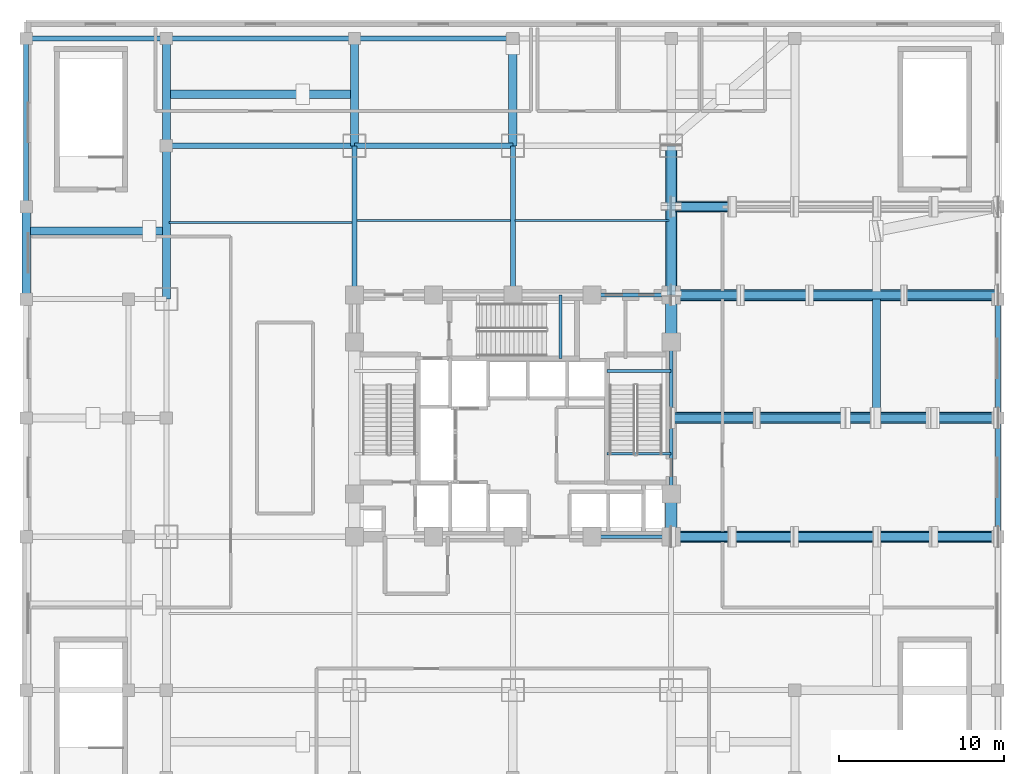
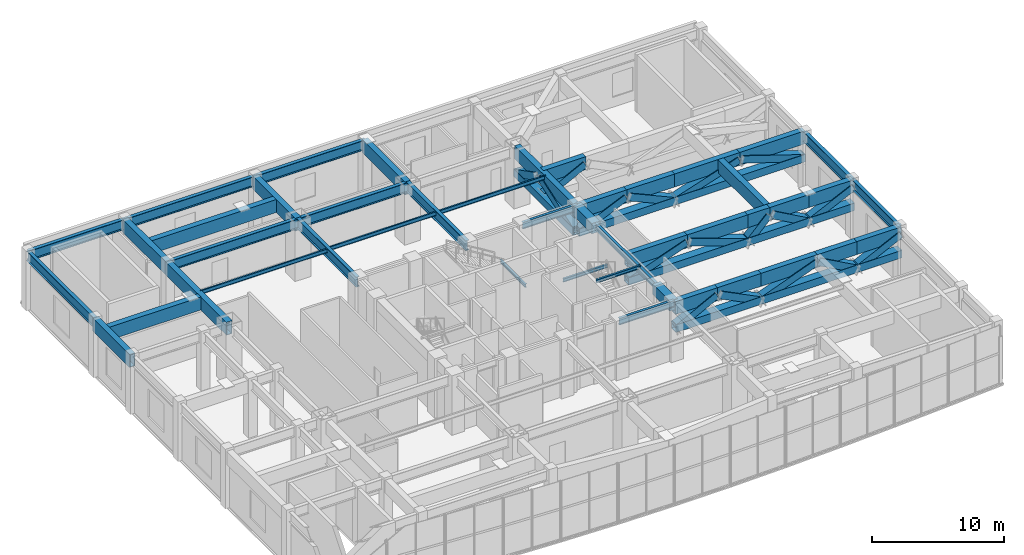
# One storey, part 9 of 19: 45 beams, 21 members.
"""IFC4 building model written with IfcOpenShell, lengths in metres."""

from ifc_helpers import new_model, si_unit, direction, frame, origin, origin_2d, place, context, subcontext, project, spatial, rectangle, hollow_rectangle, i_section, extrude, material, material_profile, profile_set, type_object, element, save


model = new_model("IFC4")

# Units and contexts
model_context = context("Model", 3, precision=1e-05, world=origin(), true_north=direction((0.0, 1.0)))
body_context = subcontext(model_context, "Body", "Model", "MODEL_VIEW")
ifc_project = project(units=[si_unit("LENGTHUNIT", "METRE"), si_unit("AREAUNIT", "SQUARE_METRE"), si_unit("VOLUMEUNIT", "CUBIC_METRE"), si_unit("PLANEANGLEUNIT", "RADIAN"), si_unit("MASSUNIT", "GRAM", prefix="KILO")], contexts=[model_context])

# Site, building, storey
site_placement = place(None, origin())
site = spatial("IfcSite", under=ifc_project, at=site_placement, CompositionType="ELEMENT")
building_placement = place(site_placement, origin())
building = spatial("IfcBuilding", under=site, at=building_placement, Name="Vantalir Tower", CompositionType="ELEMENT")
storey_placement = place(building_placement, frame((0.0, 0.0, 21.5)))
storey = spatial("IfcBuildingStorey", under=building, at=storey_placement, Name="L04", CompositionType="ELEMENT", Elevation=21.5)

# Beams
ifc_material_1 = material(Name="Concrete C60/75", Category="concrete")
ifc_material_profile_1 = material_profile(ifc_material_1, rectangle(XDim=0.699951171875, YDim=0.949951171875, at=origin_2d()), Name="Concrete C60/75")
ifc_profile_set_1 = profile_set([ifc_material_profile_1], Name="Concrete C60/75")
beam_type_1 = type_object("IfcBeamType", Name="BM-CB-700x950", PredefinedType="USERDEFINED", material=ifc_profile_set_1)
beam_1_placement = place(storey_placement, frame((41.10009765625, 17.800048828125, 4.844970703125), z_axis=(0.0, 1.0, 0.0), x_axis=(-1.0, 0.0, 0.0)))
element("IfcBeam", 1, at=beam_1_placement, inside=storey, type_object=beam_type_1, Name="L04 Core Coupling Girder 05", ObjectType="GIRDER", PredefinedType="USERDEFINED", context=body_context, shape_type="SweptSolid", body=[
    extrude(rectangle(XDim=0.699951171875, YDim=0.949951171875, at=origin_2d()), origin(), (0.0, 0.0, 1.0), 2.599853515625),
])
beam_2_placement = place(storey_placement, frame((41.10009765625, 29.60009765625, 4.844970703125), z_axis=(0.0, 1.0, 0.0), x_axis=(-1.0, 0.0, 0.0)))
element("IfcBeam", 2, at=beam_2_placement, inside=storey, type_object=beam_type_1, Name="L04 Core Coupling Girder 07", ObjectType="GIRDER", PredefinedType="USERDEFINED", context=body_context, shape_type="SweptSolid", body=[
    extrude(rectangle(XDim=0.699951171875, YDim=0.949951171875, at=origin_2d()), origin(), (0.0, 0.0, 1.0), 2.849853515625),
])
ifc_material_2 = material(Name="Steel S355", Category="steel")
ifc_material_profile_2 = material_profile(ifc_material_2, i_section(OverallWidth=0.166015625, OverallDepth=0.306884765625, WebThickness=0.006591796875, FlangeThickness=0.01171875, at=origin_2d()), Name="Steel S355")
ifc_profile_set_2 = profile_set([ifc_material_profile_2], Name="Steel S355")
beam_type_2 = type_object("IfcBeamType", Name="BM-JS-305x165", PredefinedType="JOIST", material=ifc_profile_set_2)
for number, where, z_axis, x_axis, name in (
    (3, (37.2099609375, 22.8349609375, 5.345947265625), (1.0, 0.0, 0.0), (0.0, 1.0, 0.0), "L05 Stair ST2 Well Nosing Trimmer Beam"),
    (4, (37.2099609375, 27.844970703125, 2.39599609375), (1.0, 0.0, 0.0), (0.0, 1.0, 0.0), "L04 Stair ST2 Half-Landing Support Beam"),
):
    element("IfcBeam", number, at=place(storey_placement, frame(where, z_axis=z_axis, x_axis=x_axis)), inside=storey, type_object=beam_type_2, Name=name, PredefinedType="JOIST", context=body_context, shape_type="SweptSolid", body=[
        extrude(i_section(OverallWidth=0.166015625, OverallDepth=0.306884765625, WebThickness=0.006591796875, FlangeThickness=0.01171875, at=origin_2d()), origin(), (0.0, 0.0, 1.0), 3.89013671875),
    ])
beam_3_placement = place(storey_placement, frame((34.39501953125, 28.60009765625, 2.39599609375), z_axis=(0.0, 1.0, 0.0), x_axis=(-1.0, 0.0, 0.0)))
element("IfcBeam", 5, at=beam_3_placement, inside=storey, type_object=beam_type_2, Name="L04 Stair ST3 Half-Landing Support Beam", PredefinedType="JOIST", context=body_context, shape_type="SweptSolid", body=[
    extrude(i_section(OverallWidth=0.166015625, OverallDepth=0.306884765625, WebThickness=0.006591796875, FlangeThickness=0.01171875, at=origin_2d()), origin(), (0.0, 0.0, 1.0), 3.849853515625),
])
ifc_material_profile_3 = material_profile(ifc_material_2, i_section(OverallWidth=0.1259765625, OverallDepth=0.35302734375, WebThickness=0.006591796875, FlangeThickness=0.0107421875, at=origin_2d()), Name="Steel S355")
ifc_profile_set_3 = profile_set([ifc_material_profile_3], Name="Steel S355")
beam_type_3 = type_object("IfcBeamType", Name="BM-JS-356x127", PredefinedType="JOIST", material=ifc_profile_set_3)
beam_4_placement = place(storey_placement, frame((10.64501953125, 36.85009765625, 5.10400390625), z_axis=(1.0, 0.0, 0.0), x_axis=(0.0, 1.0, 0.0)))
element("IfcBeam", 6, at=beam_4_placement, inside=storey, type_object=beam_type_3, Name="L04 Secondary Composite Joist 02", PredefinedType="JOIST", context=body_context, shape_type="SweptSolid", body=[
    extrude(i_section(OverallWidth=0.1259765625, OverallDepth=0.35302734375, WebThickness=0.006591796875, FlangeThickness=0.0107421875, at=origin_2d()), origin(), (0.0, 0.0, 1.0), 11.10986328125),
])
for number, where, z_axis, x_axis, name in (
    (7, (22.044921875, 36.97509765625, 5.10400390625), (1.0, 0.0, 0.0), (0.0, 1.0, 0.0), "L04 Secondary Composite Joist 04"),
    (8, (31.64501953125, 36.97509765625, 5.10400390625), (1.0, 0.0, 0.0), (0.0, 1.0, 0.0), "L04 Secondary Composite Joist 06"),
):
    element("IfcBeam", number, at=place(storey_placement, frame(where, z_axis=z_axis, x_axis=x_axis)), inside=storey, type_object=beam_type_3, Name=name, PredefinedType="JOIST", context=body_context, shape_type="SweptSolid", body=[
        extrude(i_section(OverallWidth=0.1259765625, OverallDepth=0.35302734375, WebThickness=0.006591796875, FlangeThickness=0.0107421875, at=origin_2d()), origin(), (0.0, 0.0, 1.0), 9.31005859375),
    ])
ifc_material_profile_4 = material_profile(ifc_material_2, i_section(OverallWidth=0.30810546875, OverallDepth=0.927001953125, WebThickness=0.01953125, FlangeThickness=0.031982421875, at=origin_2d()), Name="Steel S355")
ifc_profile_set_4 = profile_set([ifc_material_profile_4], Name="Steel S355")
beam_type_4 = type_object("IfcBeamType", Name="BM-PG-914x305", PredefinedType="USERDEFINED", material=ifc_profile_set_4)
beam_5_placement = place(storey_placement, frame((10.5, 41.5, 4.81591796875), z_axis=(1.0, 0.0, 0.0), x_axis=(0.0, 1.0, 0.0)))
element("IfcBeam", 9, at=beam_5_placement, inside=storey, type_object=beam_type_4, Name="L04 Podium E-W Girder 30", ObjectType="GIRDER", PredefinedType="USERDEFINED", context=body_context, shape_type="SweptSolid", body=[
    extrude(i_section(OverallWidth=0.30810546875, OverallDepth=0.927001953125, WebThickness=0.01953125, FlangeThickness=0.031982421875, at=origin_2d()), origin(), (0.0, 0.0, 1.0), 11.39990234375),
])
beam_6_placement = place(storey_placement, frame((21.89990234375, 41.5, 4.81591796875), z_axis=(1.0, 0.0, 0.0), x_axis=(0.0, 1.0, 0.0)))
element("IfcBeam", 10, at=beam_6_placement, inside=storey, type_object=beam_type_4, Name="L04 Podium E-W Girder 31", ObjectType="GIRDER", PredefinedType="USERDEFINED", context=body_context, shape_type="SweptSolid", body=[
    extrude(i_section(OverallWidth=0.30810546875, OverallDepth=0.927001953125, WebThickness=0.01953125, FlangeThickness=0.031982421875, at=origin_2d()), origin(), (0.0, 0.0, 1.0), 9.60009765625),
])
beam_7_placement = place(storey_placement, frame((2.0, 48.0, 4.81591796875), z_axis=(1.0, 0.0, 0.0), x_axis=(0.0, 1.0, 0.0)))
element("IfcBeam", 11, at=beam_7_placement, inside=storey, type_object=beam_type_4, Name="L04 Podium E-W Girder 33", ObjectType="GIRDER", PredefinedType="USERDEFINED", context=body_context, shape_type="SweptSolid", body=[
    extrude(i_section(OverallWidth=0.30810546875, OverallDepth=0.927001953125, WebThickness=0.01953125, FlangeThickness=0.031982421875, at=origin_2d()), origin(), (0.0, 0.0, 1.0), 8.5),
])
beam_8_placement = place(storey_placement, frame((10.5, 48.0, 4.81591796875), z_axis=(1.0, 0.0, 0.0), x_axis=(0.0, 1.0, 0.0)))
element("IfcBeam", 12, at=beam_8_placement, inside=storey, type_object=beam_type_4, Name="L04 Podium E-W Girder 34", ObjectType="GIRDER", PredefinedType="USERDEFINED", context=body_context, shape_type="SweptSolid", body=[
    extrude(i_section(OverallWidth=0.30810546875, OverallDepth=0.927001953125, WebThickness=0.01953125, FlangeThickness=0.031982421875, at=origin_2d()), origin(), (0.0, 0.0, 1.0), 11.39990234375),
])
beam_9_placement = place(storey_placement, frame((21.89990234375, 48.0, 4.81591796875), z_axis=(1.0, 0.0, 0.0), x_axis=(0.0, 1.0, 0.0)))
element("IfcBeam", 13, at=beam_9_placement, inside=storey, type_object=beam_type_4, Name="L04 Podium E-W Girder 35", ObjectType="GIRDER", PredefinedType="USERDEFINED", context=body_context, shape_type="SweptSolid", body=[
    extrude(i_section(OverallWidth=0.30810546875, OverallDepth=0.927001953125, WebThickness=0.01953125, FlangeThickness=0.031982421875, at=origin_2d()), origin(), (0.0, 0.0, 1.0), 9.60009765625),
])
beam_10_placement = place(storey_placement, frame((2.0, 37.800048828125, 4.81591796875), z_axis=(0.0, 1.0, 0.0), x_axis=(-1.0, 0.0, 0.0)))
element("IfcBeam", 14, at=beam_10_placement, inside=storey, type_object=beam_type_4, Name="L04 Podium N-S Girder 44", ObjectType="GIRDER", PredefinedType="USERDEFINED", context=body_context, shape_type="SweptSolid", body=[
    extrude(i_section(OverallWidth=0.30810546875, OverallDepth=0.927001953125, WebThickness=0.01953125, FlangeThickness=0.031982421875, at=origin_2d()), origin(), (0.0, 0.0, 1.0), 10.199951171875),
])
for number, where, z_axis, x_axis, name in (
    (15, (21.89990234375, 32.449951171875, 4.81591796875), (0.0, 1.0, 0.0), (-1.0, 0.0, 0.0), "L04 Podium N-S Girder 59"),
    (16, (31.5, 32.449951171875, 4.81591796875), (0.0, 1.0, 0.0), (-1.0, 0.0, 0.0), "L04 Podium N-S Girder 63"),
):
    element("IfcBeam", number, at=place(storey_placement, frame(where, z_axis=z_axis, x_axis=x_axis)), inside=storey, type_object=beam_type_4, Name=name, ObjectType="GIRDER", PredefinedType="USERDEFINED", context=body_context, shape_type="SweptSolid", body=[
        extrude(i_section(OverallWidth=0.30810546875, OverallDepth=0.927001953125, WebThickness=0.01953125, FlangeThickness=0.031982421875, at=origin_2d()), origin(), (0.0, 0.0, 1.0), 9.050048828125),
    ])
for number, where, z_axis, x_axis, name in (
    (17, (60.89990234375, 17.800048828125, 4.81591796875), (0.0, 1.0, 0.0), (-1.0, 0.0, 0.0), "L04 Podium N-S Girder 75"),
    (18, (60.89990234375, 25.0, 4.81591796875), (0.0, 1.0, 0.0), (-1.0, 0.0, 0.0), "L04 Podium N-S Girder 76"),
):
    element("IfcBeam", number, at=place(storey_placement, frame(where, z_axis=z_axis, x_axis=x_axis)), inside=storey, type_object=beam_type_4, Name=name, ObjectType="GIRDER", PredefinedType="USERDEFINED", context=body_context, shape_type="SweptSolid", body=[
        extrude(i_section(OverallWidth=0.30810546875, OverallDepth=0.927001953125, WebThickness=0.01953125, FlangeThickness=0.031982421875, at=origin_2d()), origin(), (0.0, 0.0, 1.0), 7.199951171875),
    ])
ifc_material_profile_5 = material_profile(ifc_material_2, i_section(OverallWidth=0.22998046875, OverallDepth=0.616943359375, WebThickness=0.01318359375, FlangeThickness=0.022216796875, at=origin_2d()), Name="Steel S355")
ifc_profile_set_5 = profile_set([ifc_material_profile_5], Name="Steel S355")
beam_type_5 = type_object("IfcBeamType", Name="BM-RB-610x229", PredefinedType="BEAM", material=ifc_profile_set_5)
beam_11_placement = place(storey_placement, frame((36.300048828125, 17.800048828125, 5.011962890625), z_axis=(1.0, 0.0, 0.0), x_axis=(0.0, 1.0, 0.0)))
element("IfcBeam", 19, at=beam_11_placement, inside=storey, type_object=beam_type_5, Name="L04 Core Coupling Girder 04", PredefinedType="BEAM", context=body_context, shape_type="SweptSolid", body=[
    extrude(i_section(OverallWidth=0.22998046875, OverallDepth=0.616943359375, WebThickness=0.01318359375, FlangeThickness=0.022216796875, at=origin_2d()), origin(), (0.0, 0.0, 1.0), 4.800048828125),
])
beam_12_placement = place(storey_placement, frame((41.10009765625, 20.39990234375, 5.011962890625), z_axis=(0.0, 1.0, 0.0), x_axis=(-1.0, 0.0, 0.0)))
element("IfcBeam", 20, at=beam_12_placement, inside=storey, type_object=beam_type_5, Name="L04 Core Coupling Girder 06", PredefinedType="BEAM", context=body_context, shape_type="SweptSolid", body=[
    extrude(i_section(OverallWidth=0.22998046875, OverallDepth=0.616943359375, WebThickness=0.01318359375, FlangeThickness=0.022216796875, at=origin_2d()), origin(), (0.0, 0.0, 1.0), 9.2001953125),
])
beam_13_placement = place(storey_placement, frame((41.10009765625, 32.449951171875, 5.011962890625), z_axis=(-1.0, 0.0, 0.0), x_axis=(0.0, -1.0, 0.0)))
element("IfcBeam", 21, at=beam_13_placement, inside=storey, type_object=beam_type_5, Name="L04 Core Coupling Girder 08", PredefinedType="BEAM", context=body_context, shape_type="SweptSolid", body=[
    extrude(i_section(OverallWidth=0.22998046875, OverallDepth=0.616943359375, WebThickness=0.01318359375, FlangeThickness=0.022216796875, at=origin_2d()), origin(), (0.0, 0.0, 1.0), 4.800048828125),
])
ifc_material_3 = material(Name="Steel S460", Category="steel")
ifc_material_profile_6 = material_profile(ifc_material_3, hollow_rectangle(XDim=0.5, YDim=1.199951171875, WallThickness=0.0400390625, at=origin_2d()), Name="Steel S460")
ifc_profile_set_6 = profile_set([ifc_material_profile_6], Name="Steel S460")
beam_type_6 = type_object("IfcBeamType", Name="BM-XG-1200x500", PredefinedType="USERDEFINED", material=ifc_profile_set_6)
beam_14_placement = place(storey_placement, frame((41.10009765625, 17.800048828125, 4.679931640625), z_axis=(1.0, 0.0, 0.0), x_axis=(0.0, 1.0, 0.0)))
element("IfcBeam", 22, at=beam_14_placement, inside=storey, type_object=beam_type_6, Name="L04 Ballroom Transfer Truss T1 Top Chord 1", ObjectType="GIRDER", PredefinedType="USERDEFINED", context=body_context, shape_type="SweptSolid", body=[
    extrude(hollow_rectangle(XDim=0.5, YDim=1.199951171875, WallThickness=0.0400390625, at=origin_2d()), origin(), (0.0, 0.0, 1.0), 3.699951171875),
])
beam_15_placement = place(storey_placement, frame((44.800048828125, 17.800048828125, 4.679931640625), z_axis=(1.0, 0.0, 0.0), x_axis=(0.0, 1.0, 0.0)))
element("IfcBeam", 23, at=beam_15_placement, inside=storey, type_object=beam_type_6, Name="L04 Ballroom Transfer Truss T1 Top Chord 2", ObjectType="GIRDER", PredefinedType="USERDEFINED", context=body_context, shape_type="SweptSolid", body=[
    extrude(hollow_rectangle(XDim=0.5, YDim=1.199951171875, WallThickness=0.0400390625, at=origin_2d()), origin(), (0.0, 0.0, 1.0), 3.800048828125),
])
beam_16_placement = place(storey_placement, frame((48.60009765625, 17.800048828125, 4.679931640625), z_axis=(1.0, 0.0, 0.0), x_axis=(0.0, 1.0, 0.0)))
element("IfcBeam", 24, at=beam_16_placement, inside=storey, type_object=beam_type_6, Name="L04 Ballroom Transfer Truss T1 Top Chord 3", ObjectType="GIRDER", PredefinedType="USERDEFINED", context=body_context, shape_type="SweptSolid", body=[
    extrude(hollow_rectangle(XDim=0.5, YDim=1.199951171875, WallThickness=0.0400390625, at=origin_2d()), origin(), (0.0, 0.0, 1.0), 4.93994140625),
])
beam_17_placement = place(storey_placement, frame((53.5400390625, 17.800048828125, 4.679931640625), z_axis=(1.0, 0.0, 0.0), x_axis=(0.0, 1.0, 0.0)))
element("IfcBeam", 25, at=beam_17_placement, inside=storey, type_object=beam_type_6, Name="L04 Ballroom Transfer Truss T1 Top Chord 4", ObjectType="GIRDER", PredefinedType="USERDEFINED", context=body_context, shape_type="SweptSolid", body=[
    extrude(hollow_rectangle(XDim=0.5, YDim=1.199951171875, WallThickness=0.0400390625, at=origin_2d()), origin(), (0.0, 0.0, 1.0), 3.4599609375),
])
beam_18_placement = place(storey_placement, frame((57.0, 17.800048828125, 4.679931640625), z_axis=(1.0, 0.0, 0.0), x_axis=(0.0, 1.0, 0.0)))
element("IfcBeam", 26, at=beam_18_placement, inside=storey, type_object=beam_type_6, Name="L04 Ballroom Transfer Truss T1 Top Chord 5", ObjectType="GIRDER", PredefinedType="USERDEFINED", context=body_context, shape_type="SweptSolid", body=[
    extrude(hollow_rectangle(XDim=0.5, YDim=1.199951171875, WallThickness=0.0400390625, at=origin_2d()), origin(), (0.0, 0.0, 1.0), 3.89990234375),
])
beam_19_placement = place(storey_placement, frame((41.10009765625, 25.0, 4.679931640625), z_axis=(1.0, 0.0, 0.0), x_axis=(0.0, 1.0, 0.0)))
element("IfcBeam", 27, at=beam_19_placement, inside=storey, type_object=beam_type_6, Name="L04 Ballroom Transfer Truss T2 Top Chord 1", ObjectType="GIRDER", PredefinedType="USERDEFINED", context=body_context, shape_type="SweptSolid", body=[
    extrude(hollow_rectangle(XDim=0.5, YDim=1.199951171875, WallThickness=0.0400390625, at=origin_2d()), origin(), (0.0, 0.0, 1.0), 5.199951171875),
])
beam_20_placement = place(storey_placement, frame((46.300048828125, 25.0, 4.679931640625), z_axis=(1.0, 0.0, 0.0), x_axis=(0.0, 1.0, 0.0)))
element("IfcBeam", 28, at=beam_20_placement, inside=storey, type_object=beam_type_6, Name="L04 Ballroom Transfer Truss T2 Top Chord 2", ObjectType="GIRDER", PredefinedType="USERDEFINED", context=body_context, shape_type="SweptSolid", body=[
    extrude(hollow_rectangle(XDim=0.5, YDim=1.199951171875, WallThickness=0.0400390625, at=origin_2d()), origin(), (0.0, 0.0, 1.0), 5.300048828125),
])
beam_21_placement = place(storey_placement, frame((51.60009765625, 25.0, 4.679931640625), z_axis=(1.0, 0.0, 0.0), x_axis=(0.0, 1.0, 0.0)))
element("IfcBeam", 29, at=beam_21_placement, inside=storey, type_object=beam_type_6, Name="L04 Ballroom Transfer Truss T2 Top Chord 3", ObjectType="GIRDER", PredefinedType="USERDEFINED", context=body_context, shape_type="SweptSolid", body=[
    extrude(hollow_rectangle(XDim=0.5, YDim=1.199951171875, WallThickness=0.0400390625, at=origin_2d()), origin(), (0.0, 0.0, 1.0), 1.93994140625),
])
beam_22_placement = place(storey_placement, frame((53.5400390625, 25.0, 4.679931640625), z_axis=(1.0, 0.0, 0.0), x_axis=(0.0, 1.0, 0.0)))
element("IfcBeam", 30, at=beam_22_placement, inside=storey, type_object=beam_type_6, Name="L04 Ballroom Transfer Truss T2 Top Chord 4", ObjectType="GIRDER", PredefinedType="USERDEFINED", context=body_context, shape_type="SweptSolid", body=[
    extrude(hollow_rectangle(XDim=0.5, YDim=1.199951171875, WallThickness=0.0400390625, at=origin_2d()), origin(), (0.0, 0.0, 1.0), 3.409912109375),
])
beam_23_placement = place(storey_placement, frame((56.949951171875, 25.0, 4.679931640625), z_axis=(1.0, 0.0, 0.0), x_axis=(0.0, 1.0, 0.0)))
element("IfcBeam", 31, at=beam_23_placement, inside=storey, type_object=beam_type_6, Name="L04 Ballroom Transfer Truss T2 Top Chord 5", ObjectType="GIRDER", PredefinedType="USERDEFINED", context=body_context, shape_type="SweptSolid", body=[
    extrude(hollow_rectangle(XDim=0.5, YDim=1.199951171875, WallThickness=0.0400390625, at=origin_2d()), origin(), (0.0, 0.0, 1.0), 3.949951171875),
])
for number, where, z_axis, x_axis, name in (
    (32, (41.10009765625, 32.449951171875, 4.679931640625), (1.0, 0.0, 0.0), (0.0, 1.0, 0.0), "L04 Ballroom Transfer Truss T3 Top Chord 1"),
    (33, (45.300048828125, 32.449951171875, 4.679931640625), (1.0, 0.0, 0.0), (0.0, 1.0, 0.0), "L04 Ballroom Transfer Truss T3 Top Chord 2"),
):
    element("IfcBeam", number, at=place(storey_placement, frame(where, z_axis=z_axis, x_axis=x_axis)), inside=storey, type_object=beam_type_6, Name=name, ObjectType="GIRDER", PredefinedType="USERDEFINED", context=body_context, shape_type="SweptSolid", body=[
        extrude(hollow_rectangle(XDim=0.5, YDim=1.199951171875, WallThickness=0.0400390625, at=origin_2d()), origin(), (0.0, 0.0, 1.0), 4.199951171875),
    ])
for number, where, z_axis, x_axis, name in (
    (34, (49.5, 32.449951171875, 4.679931640625), (1.0, 0.0, 0.0), (0.0, 1.0, 0.0), "L04 Ballroom Transfer Truss T3 Top Chord 3"),
    (35, (55.199951171875, 32.449951171875, 4.679931640625), (1.0, 0.0, 0.0), (0.0, 1.0, 0.0), "L04 Ballroom Transfer Truss T3 Top Chord 4"),
):
    element("IfcBeam", number, at=place(storey_placement, frame(where, z_axis=z_axis, x_axis=x_axis)), inside=storey, type_object=beam_type_6, Name=name, ObjectType="GIRDER", PredefinedType="USERDEFINED", context=body_context, shape_type="SweptSolid", body=[
        extrude(hollow_rectangle(XDim=0.5, YDim=1.199951171875, WallThickness=0.0400390625, at=origin_2d()), origin(), (0.0, 0.0, 1.0), 5.699951171875),
    ])
beam_24_placement = place(storey_placement, frame((41.10009765625, 37.800048828125, 4.679931640625), z_axis=(1.0, 0.0, 0.0), x_axis=(0.0, 1.0, 0.0)))
element("IfcBeam", 36, at=beam_24_placement, inside=storey, type_object=beam_type_6, Name="L04 Ballroom Transfer Truss T4 Top Chord 1", ObjectType="GIRDER", PredefinedType="USERDEFINED", context=body_context, shape_type="SweptSolid", body=[
    extrude(hollow_rectangle(XDim=0.5, YDim=1.199951171875, WallThickness=0.0400390625, at=origin_2d()), origin(), (0.0, 0.0, 1.0), 3.699951171875),
])
beam_25_placement = place(storey_placement, frame((2.0, 32.199951171875, 4.679931640625), z_axis=(0.0, 1.0, 0.0), x_axis=(-1.0, 0.0, 0.0)))
element("IfcBeam", 37, at=beam_25_placement, inside=storey, type_object=beam_type_6, Name="L04 Ring Transfer Girder PRI-W2", ObjectType="GIRDER", PredefinedType="USERDEFINED", context=body_context, shape_type="SweptSolid", body=[
    extrude(hollow_rectangle(XDim=0.5, YDim=1.199951171875, WallThickness=0.0400390625, at=origin_2d()), origin(), (0.0, 0.0, 1.0), 5.60009765625),
])
beam_26_placement = place(storey_placement, frame((10.5, 32.199951171875, 4.679931640625), z_axis=(0.0, 1.0, 0.0), x_axis=(-1.0, 0.0, 0.0)))
element("IfcBeam", 38, at=beam_26_placement, inside=storey, type_object=beam_type_6, Name="L04 Ring Transfer Girder PRI-X2C", ObjectType="GIRDER", PredefinedType="USERDEFINED", context=body_context, shape_type="SweptSolid", body=[
    extrude(hollow_rectangle(XDim=0.5, YDim=1.199951171875, WallThickness=0.0400390625, at=origin_2d()), origin(), (0.0, 0.0, 1.0), 9.300048828125),
])
for number, where, z_axis, x_axis, name in (
    (39, (10.5, 41.5, 4.679931640625), (0.0, 1.0, 0.0), (-1.0, 0.0, 0.0), "L04 Ring Transfer Girder PRI-X2D"),
    (40, (21.89990234375, 41.5, 4.679931640625), (0.0, 1.0, 0.0), (-1.0, 0.0, 0.0), "L04 Ring Transfer Girder PRI-X3N"),
    (41, (31.5, 41.5, 4.679931640625), (0.0, 1.0, 0.0), (-1.0, 0.0, 0.0), "L04 Ring Transfer Girder PRI-X5N"),
):
    element("IfcBeam", number, at=place(storey_placement, frame(where, z_axis=z_axis, x_axis=x_axis)), inside=storey, type_object=beam_type_6, Name=name, ObjectType="GIRDER", PredefinedType="USERDEFINED", context=body_context, shape_type="SweptSolid", body=[
        extrude(hollow_rectangle(XDim=0.5, YDim=1.199951171875, WallThickness=0.0400390625, at=origin_2d()), origin(), (0.0, 0.0, 1.0), 6.5),
    ])
beam_27_placement = place(storey_placement, frame((41.10009765625, 32.449951171875, 4.679931640625), z_axis=(0.0, 1.0, 0.0), x_axis=(-1.0, 0.0, 0.0)))
element("IfcBeam", 42, at=beam_27_placement, inside=storey, type_object=beam_type_6, Name="L04 Ring Transfer Girder PRI-X7M", ObjectType="GIRDER", PredefinedType="USERDEFINED", context=body_context, shape_type="SweptSolid", body=[
    extrude(hollow_rectangle(XDim=0.5, YDim=1.199951171875, WallThickness=0.0400390625, at=origin_2d()), origin(), (0.0, 0.0, 1.0), 9.050048828125),
])
beam_28_placement = place(storey_placement, frame((53.5400390625, 25.22509765625, 4.679931640625), z_axis=(0.0, 1.0, 0.0), x_axis=(-1.0, 0.0, 0.0)))
element("IfcBeam", 43, at=beam_28_placement, inside=storey, type_object=beam_type_6, Name="L04 Ring Transfer Girder SEC-RC02A", ObjectType="GIRDER", PredefinedType="USERDEFINED", context=body_context, shape_type="SweptSolid", body=[
    extrude(hollow_rectangle(XDim=0.5, YDim=1.199951171875, WallThickness=0.0400390625, at=origin_2d()), origin(), (0.0, 0.0, 1.0), 7.0),
])
beam_29_placement = place(storey_placement, frame((10.72509765625, 44.6279296875, 4.679931640625), z_axis=(1.0, 0.0, 0.0), x_axis=(0.0, 1.0, 0.0)))
element("IfcBeam", 44, at=beam_29_placement, inside=storey, type_object=beam_type_6, Name="L04 Ring Transfer Girder SEC-RC05", ObjectType="GIRDER", PredefinedType="USERDEFINED", context=body_context, shape_type="SweptSolid", body=[
    extrude(hollow_rectangle(XDim=0.5, YDim=1.199951171875, WallThickness=0.0400390625, at=origin_2d()), origin(), (0.0, 0.0, 1.0), 10.949951171875),
])
beam_30_placement = place(storey_placement, frame((2.22509765625, 36.33203125, 4.679931640625), z_axis=(1.0, 0.0, 0.0), x_axis=(0.0, 1.0, 0.0)))
element("IfcBeam", 45, at=beam_30_placement, inside=storey, type_object=beam_type_6, Name="L04 Ring Transfer Girder SEC-RC06", ObjectType="GIRDER", PredefinedType="USERDEFINED", context=body_context, shape_type="SweptSolid", body=[
    extrude(hollow_rectangle(XDim=0.5, YDim=1.199951171875, WallThickness=0.0400390625, at=origin_2d()), origin(), (0.0, 0.0, 1.0), 8.0498046875),
])

# Members
ifc_material_profile_7 = material_profile(ifc_material_3, hollow_rectangle(XDim=0.699951171875, YDim=0.699951171875, WallThickness=0.044921875, at=origin_2d()), Name="Steel S460")
ifc_profile_set_7 = profile_set([ifc_material_profile_7], Name="Steel S460")
member_type_1 = type_object("IfcMemberType", Name="MEM-CH-700x45", PredefinedType="CHORD", material=ifc_profile_set_7)
for number, where, z_axis, x_axis, name in (
    (46, (41.10009765625, 17.800048828125, 2.830078125), (1.0, 0.0, 0.0), (0.0, 1.0, 0.0), "L04 Ballroom Transfer Truss T1 Bottom Chord"),
    (47, (41.10009765625, 25.0, 2.830078125), (1.0, 0.0, 0.0), (0.0, 1.0, 0.0), "L04 Ballroom Transfer Truss T2 Bottom Chord"),
    (48, (41.10009765625, 32.449951171875, 2.830078125), (1.0, 0.0, 0.0), (0.0, 1.0, 0.0), "L04 Ballroom Transfer Truss T3 Bottom Chord"),
):
    element("IfcMember", number, at=place(storey_placement, frame(where, z_axis=z_axis, x_axis=x_axis)), inside=storey, type_object=member_type_1, Name=name, PredefinedType="CHORD", context=body_context, shape_type="SweptSolid", body=[
        extrude(hollow_rectangle(XDim=0.699951171875, YDim=0.699951171875, WallThickness=0.044921875, at=origin_2d()), origin(), (0.0, 0.0, 1.0), 19.7998046875),
    ])
member_1_placement = place(storey_placement, frame((41.10009765625, 32.449951171875, 2.830078125), z_axis=(0.0, 1.0, 0.0), x_axis=(-1.0, 0.0, 0.0)))
element("IfcMember", 49, at=member_1_placement, inside=storey, type_object=member_type_1, Name="L04 Core-Mega Header Truss X7M Bottom Chord", PredefinedType="CHORD", context=body_context, shape_type="SweptSolid", body=[
    extrude(hollow_rectangle(XDim=0.699951171875, YDim=0.699951171875, WallThickness=0.044921875, at=origin_2d()), origin(), (0.0, 0.0, 1.0), 9.050048828125),
])
ifc_material_profile_8 = material_profile(ifc_material_3, hollow_rectangle(XDim=0.64990234375, YDim=0.64990234375, WallThickness=0.044921875, at=origin_2d()), Name="Steel S460")
ifc_profile_set_8 = profile_set([ifc_material_profile_8], Name="Steel S460")
member_type_2 = type_object("IfcMemberType", Name="MEM-XT-650x45", PredefinedType="BRACE", material=ifc_profile_set_8)
member_2_placement = place(storey_placement, frame((41.179931640625, 17.800048828125, 2.830078125), z_axis=(0.891407019854, 0.0, 0.453203624163), x_axis=(0.0, 1.0, 0.0)))
element("IfcMember", 50, at=member_2_placement, inside=storey, type_object=member_type_2, Name="L04 Ballroom Transfer Truss T1 Web 1", PredefinedType="BRACE", context=body_context, shape_type="SweptSolid", body=[
    extrude(hollow_rectangle(XDim=0.64990234375, YDim=0.64990234375, WallThickness=0.044921875, at=origin_2d()), origin(), (0.0, 0.0, 1.0), 3.97119140625),
])
member_3_placement = place(storey_placement, frame((44.8798828125, 17.800048828125, 4.6298828125), z_axis=(0.896414322007, 0.0, -0.443217061156), x_axis=(0.0, 1.0, 0.0)))
element("IfcMember", 51, at=member_3_placement, inside=storey, type_object=member_type_2, Name="L04 Ballroom Transfer Truss T1 Web 2", PredefinedType="BRACE", context=body_context, shape_type="SweptSolid", body=[
    extrude(hollow_rectangle(XDim=0.64990234375, YDim=0.64990234375, WallThickness=0.044921875, at=origin_2d()), origin(), (0.0, 0.0, 1.0), 4.060791015625),
])
member_4_placement = place(storey_placement, frame((48.679931640625, 17.800048828125, 2.830078125), z_axis=(0.935858861623, 0.0, 0.352375071652), x_axis=(0.0, 1.0, 0.0)))
element("IfcMember", 52, at=member_4_placement, inside=storey, type_object=member_type_2, Name="L04 Ballroom Transfer Truss T1 Web 3", PredefinedType="BRACE", context=body_context, shape_type="SweptSolid", body=[
    extrude(hollow_rectangle(XDim=0.64990234375, YDim=0.64990234375, WallThickness=0.044921875, at=origin_2d()), origin(), (0.0, 0.0, 1.0), 5.107666015625),
])
member_5_placement = place(storey_placement, frame((53.6201171875, 17.800048828125, 4.6298828125), z_axis=(0.877905501855, 0.0, -0.478833927173), x_axis=(0.0, 1.0, 0.0)))
element("IfcMember", 53, at=member_5_placement, inside=storey, type_object=member_type_2, Name="L04 Ballroom Transfer Truss T1 Web 4", PredefinedType="BRACE", context=body_context, shape_type="SweptSolid", body=[
    extrude(hollow_rectangle(XDim=0.64990234375, YDim=0.64990234375, WallThickness=0.044921875, at=origin_2d()), origin(), (0.0, 0.0, 1.0), 3.7587890625),
])
member_6_placement = place(storey_placement, frame((57.080078125, 17.800048828125, 2.830078125), z_axis=(0.901089359845, 0.0, 0.433633446098), x_axis=(0.0, 1.0, 0.0)))
element("IfcMember", 54, at=member_6_placement, inside=storey, type_object=member_type_2, Name="L04 Ballroom Transfer Truss T1 Web 5", PredefinedType="BRACE", context=body_context, shape_type="SweptSolid", body=[
    extrude(hollow_rectangle(XDim=0.64990234375, YDim=0.64990234375, WallThickness=0.044921875, at=origin_2d()), origin(), (0.0, 0.0, 1.0), 4.150634765625),
])
member_7_placement = place(storey_placement, frame((41.179931640625, 25.0, 2.830078125), z_axis=(0.941754296148, 0.0, 0.336301718233), x_axis=(0.0, 1.0, 0.0)))
element("IfcMember", 55, at=member_7_placement, inside=storey, type_object=member_type_2, Name="L04 Ballroom Transfer Truss T2 Web 1", PredefinedType="BRACE", context=body_context, shape_type="SweptSolid", body=[
    extrude(hollow_rectangle(XDim=0.64990234375, YDim=0.64990234375, WallThickness=0.044921875, at=origin_2d()), origin(), (0.0, 0.0, 1.0), 5.351806640625),
])
member_8_placement = place(storey_placement, frame((46.3798828125, 25.0, 4.6298828125), z_axis=(0.943815017552, 0.0, -0.330474223872), x_axis=(0.0, 1.0, 0.0)))
element("IfcMember", 56, at=member_8_placement, inside=storey, type_object=member_type_2, Name="L04 Ballroom Transfer Truss T2 Web 2", PredefinedType="BRACE", context=body_context, shape_type="SweptSolid", body=[
    extrude(hollow_rectangle(XDim=0.64990234375, YDim=0.64990234375, WallThickness=0.044921875, at=origin_2d()), origin(), (0.0, 0.0, 1.0), 5.446044921875),
])
member_9_placement = place(storey_placement, frame((51.679931640625, 25.0, 2.830078125), z_axis=(0.703189917638, 0.0, 0.711002067319), x_axis=(0.0, 1.0, 0.0)))
element("IfcMember", 57, at=member_9_placement, inside=storey, type_object=member_type_2, Name="L04 Ballroom Transfer Truss T2 Web 3", PredefinedType="BRACE", context=body_context, shape_type="SweptSolid", body=[
    extrude(hollow_rectangle(XDim=0.64990234375, YDim=0.64990234375, WallThickness=0.044921875, at=origin_2d()), origin(), (0.0, 0.0, 1.0), 2.53125),
])
member_10_placement = place(storey_placement, frame((53.6201171875, 25.0, 4.6298828125), z_axis=(0.874813637476, 0.0, -0.484459595514), x_axis=(0.0, 1.0, 0.0)))
element("IfcMember", 58, at=member_10_placement, inside=storey, type_object=member_type_2, Name="L04 Ballroom Transfer Truss T2 Web 4", PredefinedType="BRACE", context=body_context, shape_type="SweptSolid", body=[
    extrude(hollow_rectangle(XDim=0.64990234375, YDim=0.64990234375, WallThickness=0.044921875, at=origin_2d()), origin(), (0.0, 0.0, 1.0), 3.715087890625),
])
member_11_placement = place(storey_placement, frame((57.030029296875, 25.0, 2.830078125), z_axis=(0.903320347574, 0.0, 0.428966606694), x_axis=(0.0, 1.0, 0.0)))
element("IfcMember", 59, at=member_11_placement, inside=storey, type_object=member_type_2, Name="L04 Ballroom Transfer Truss T2 Web 5", PredefinedType="BRACE", context=body_context, shape_type="SweptSolid", body=[
    extrude(hollow_rectangle(XDim=0.64990234375, YDim=0.64990234375, WallThickness=0.044921875, at=origin_2d()), origin(), (0.0, 0.0, 1.0), 4.195556640625),
])
for number, where, z_axis, x_axis, name in (
    (60, (41.179931640625, 32.449951171875, 2.830078125), (0.913456095772, 0.0, 0.406937293814), (0.0, 1.0, 0.0), "L04 Ballroom Transfer Truss T3 Web 1"),
    (61, (45.3798828125, 32.449951171875, 4.6298828125), (0.913456095772, 0.0, -0.406937293814), (0.0, 1.0, 0.0), "L04 Ballroom Transfer Truss T3 Web 2"),
):
    element("IfcMember", number, at=place(storey_placement, frame(where, z_axis=z_axis, x_axis=x_axis)), inside=storey, type_object=member_type_2, Name=name, PredefinedType="BRACE", context=body_context, shape_type="SweptSolid", body=[
        extrude(hollow_rectangle(XDim=0.64990234375, YDim=0.64990234375, WallThickness=0.044921875, at=origin_2d()), origin(), (0.0, 0.0, 1.0), 4.4228515625),
    ])
for number, where, z_axis, x_axis, name in (
    (62, (49.580078125, 32.449951171875, 2.830078125), (0.95106979074, 0.0, 0.308976136847), (0.0, 1.0, 0.0), "L04 Ballroom Transfer Truss T3 Web 3"),
    (63, (55.280029296875, 32.449951171875, 4.6298828125), (0.95106979074, 0.0, -0.308976136847), (0.0, 1.0, 0.0), "L04 Ballroom Transfer Truss T3 Web 4"),
):
    element("IfcMember", number, at=place(storey_placement, frame(where, z_axis=z_axis, x_axis=x_axis)), inside=storey, type_object=member_type_2, Name=name, PredefinedType="BRACE", context=body_context, shape_type="SweptSolid", body=[
        extrude(hollow_rectangle(XDim=0.64990234375, YDim=0.64990234375, WallThickness=0.044921875, at=origin_2d()), origin(), (0.0, 0.0, 1.0), 5.824951171875),
    ])
member_12_placement = place(storey_placement, frame((41.179931640625, 37.800048828125, 2.830078125), z_axis=(0.891407019854, 0.0, 0.453203624163), x_axis=(0.0, 1.0, 0.0)))
element("IfcMember", 64, at=member_12_placement, inside=storey, type_object=member_type_2, Name="L04 Ballroom Transfer Truss T4 Web 1", PredefinedType="BRACE", context=body_context, shape_type="SweptSolid", body=[
    extrude(hollow_rectangle(XDim=0.64990234375, YDim=0.64990234375, WallThickness=0.044921875, at=origin_2d()), origin(), (0.0, 0.0, 1.0), 3.97119140625),
])
member_13_placement = place(storey_placement, frame((41.10009765625, 32.550048828125, 2.830078125), z_axis=(0.0, 0.944407716382, 0.328776619058), x_axis=(-1.0, 0.0, 0.0)))
element("IfcMember", 65, at=member_13_placement, inside=storey, type_object=member_type_2, Name="L04 Core-Mega Header Truss X7M Web 1", PredefinedType="BRACE", context=body_context, shape_type="SweptSolid", body=[
    extrude(hollow_rectangle(XDim=0.64990234375, YDim=0.64990234375, WallThickness=0.044921875, at=origin_2d()), origin(), (0.0, 0.0, 1.0), 5.474365234375),
])
member_14_placement = place(storey_placement, frame((41.10009765625, 41.39990234375, 2.830078125), z_axis=(0.0, -0.890364600314, 0.455248150472), x_axis=(1.0, 0.0, 0.0)))
element("IfcMember", 66, at=member_14_placement, inside=storey, type_object=member_type_2, Name="L04 Core-Mega Header Truss X7M Web 2", PredefinedType="BRACE", context=body_context, shape_type="SweptSolid", body=[
    extrude(hollow_rectangle(XDim=0.64990234375, YDim=0.64990234375, WallThickness=0.044921875, at=origin_2d()), origin(), (0.0, 0.0, 1.0), 3.953369140625),
])

save(model, "model.ifc")
